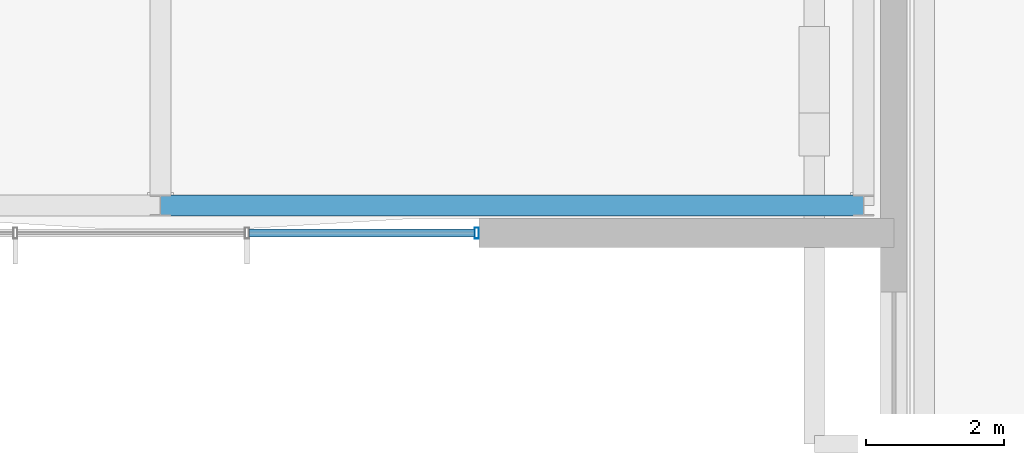
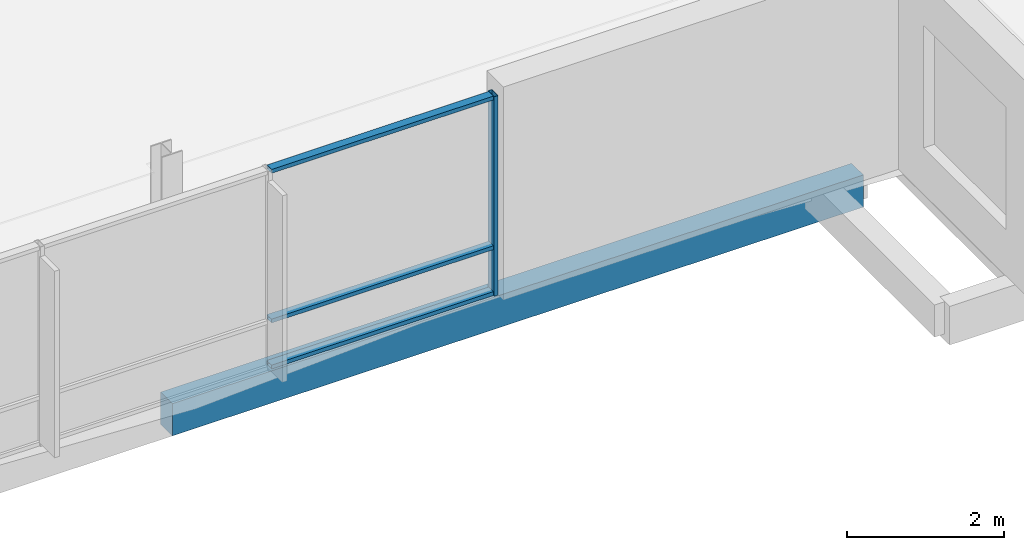
# One storey, part 102 of 189: 4 members, 1 beam, 1 element without a shape of its own.
"""IFC4 building model written with IfcOpenShell, lengths in metres."""

from ifc_helpers import new_model, si_unit, direction, frame, origin, origin_2d, place, context, subcontext, project, spatial, rectangle, hollow_rectangle, extrude, material, material_profile, profile_set, type_object, element, aggregate, save


model = new_model("IFC4")

# Units and contexts
model_context = context("Model", 3, precision=1e-05, world=origin(), true_north=direction((0.0, 1.0)))
body_context = subcontext(model_context, "Body", "Model", "MODEL_VIEW")
ifc_project = project(units=[si_unit("LENGTHUNIT", "METRE"), si_unit("AREAUNIT", "SQUARE_METRE"), si_unit("VOLUMEUNIT", "CUBIC_METRE"), si_unit("PLANEANGLEUNIT", "RADIAN"), si_unit("MASSUNIT", "GRAM", prefix="KILO")], contexts=[model_context])

# Site, building, storey
site_placement = place(None, origin())
site = spatial("IfcSite", under=ifc_project, at=site_placement, CompositionType="ELEMENT")
building_placement = place(site_placement, origin())
building = spatial("IfcBuilding", under=site, at=building_placement, Name="Zavelmont Quarter", CompositionType="ELEMENT")
storey_placement = place(building_placement, frame((0.0, 0.0, 4.39990234375)))
storey = spatial("IfcBuildingStorey", under=building, at=storey_placement, Name="L01", CompositionType="ELEMENT", Elevation=4.39990234375)

# Beam
ifc_material_1 = material(Name="Concrete C35/45", Category="concrete")
ifc_material_profile_1 = material_profile(ifc_material_1, rectangle(XDim=0.300048828125, YDim=0.5, at=origin_2d()), Name="RC300X500")
ifc_profile_set_1 = profile_set([ifc_material_profile_1], Name="Concrete C35/45")
beam_type = type_object("IfcBeamType", Name="BM03", PredefinedType="BEAM", material=ifc_profile_set_1)
beam_placement = place(storey_placement, frame((102.199951171875, 102.0, -0.52978515625), z_axis=(1.0, 0.0, 0.0), x_axis=(0.0, 1.0, 0.0)))
element("IfcBeam", 1, at=beam_placement, inside=storey, type_object=beam_type, Name="L01 beam BM03 16/Q to 17/Q", PredefinedType="BEAM", context=body_context, shape_type="SweptSolid", body=[
    extrude(rectangle(XDim=0.300048828125, YDim=0.5, at=origin_2d()), origin(), (0.0, 0.0, 1.0), 10.16015625),
])

# Curtain wall, members
ifc_material_2 = material(Name="Thermally broken aluminium and double low-E safety glazing", Category="aluminium")
curtain_wall_type = type_object("IfcCurtainWallType", Name="CW-1340X310", PredefinedType="NOTDEFINED", material=ifc_material_2)
curtain_wall_placement = place(storey_placement, origin())
curtain_wall = element("IfcCurtainWall", 2, at=curtain_wall_placement, inside=storey, type_object=curtain_wall_type, Name="L01 unitised curtain wall CW-1340X310", PredefinedType="NOTDEFINED")
ifc_material_3 = material(Name="Powder-coated aluminium EN AW-6063-T6", Category="aluminium")
ifc_material_profile_2 = material_profile(ifc_material_3, hollow_rectangle(XDim=0.06005859375, YDim=0.159912109375, WallThickness=0.00390625, at=origin_2d()), Name="CWM60X160")
ifc_profile_set_2 = profile_set([ifc_material_profile_2], Name="Powder-coated aluminium EN AW-6063-T6")
member_type_1 = type_object("IfcMemberType", Name="CWM01", PredefinedType="MULLION", material=ifc_profile_set_2)
member_1_placement = place(storey_placement, frame((106.77001953125, 101.60009765625, 0.0), z_axis=(0.0, 0.0, 1.0), x_axis=(1.0, 0.0, 0.0)))
member_1 = element("IfcMember", 3, at=member_1_placement, type_object=member_type_1, Name="CW-1340X310 mullion 5", PredefinedType="MULLION", context=body_context, shape_type="SweptSolid", body=[
    extrude(hollow_rectangle(XDim=0.06005859375, YDim=0.159912109375, WallThickness=0.00390625, at=origin_2d()), origin(), (0.0, 0.0, 1.0), 3.10009765625),
])
ifc_material_profile_3 = material_profile(ifc_material_3, hollow_rectangle(XDim=0.1201171875, YDim=0.06005859375, WallThickness=0.00390625, at=origin_2d()), Name="CWT60X120")
ifc_profile_set_3 = profile_set([ifc_material_profile_3], Name="Powder-coated aluminium EN AW-6063-T6")
member_type_2 = type_object("IfcMemberType", Name="CWT01", PredefinedType="NOTDEFINED", material=ifc_profile_set_3)
member_2_placement = place(storey_placement, frame((103.47998046875, 101.60009765625, 0.030029296875), z_axis=(1.0, 0.0, 0.0), x_axis=(0.0, 1.0, 0.0)))
member_2 = element("IfcMember", 4, at=member_2_placement, type_object=member_type_2, Name="CW-1340X310 transom 4.1", ObjectType="TRANSOM", PredefinedType="USERDEFINED", context=body_context, shape_type="SweptSolid", body=[
    extrude(hollow_rectangle(XDim=0.1201171875, YDim=0.06005859375, WallThickness=0.00390625, at=origin_2d()), origin(), (0.0, 0.0, 1.0), 3.260009765625),
])
member_3_placement = place(storey_placement, frame((103.47998046875, 101.60009765625, 0.744140625), z_axis=(1.0, 0.0, 0.0), x_axis=(0.0, 1.0, 0.0)))
member_3 = element("IfcMember", 5, at=member_3_placement, type_object=member_type_2, Name="CW-1340X310 transom 4.2", ObjectType="TRANSOM", PredefinedType="USERDEFINED", context=body_context, shape_type="SweptSolid", body=[
    extrude(hollow_rectangle(XDim=0.1201171875, YDim=0.06005859375, WallThickness=0.00390625, at=origin_2d()), origin(), (0.0, 0.0, 1.0), 3.260009765625),
])
member_4_placement = place(storey_placement, frame((103.47998046875, 101.60009765625, 3.070068359375), z_axis=(1.0, 0.0, 0.0), x_axis=(0.0, 1.0, 0.0)))
member_4 = element("IfcMember", 6, at=member_4_placement, type_object=member_type_2, Name="CW-1340X310 transom 4.3", ObjectType="TRANSOM", PredefinedType="USERDEFINED", context=body_context, shape_type="SweptSolid", body=[
    extrude(hollow_rectangle(XDim=0.1201171875, YDim=0.06005859375, WallThickness=0.00390625, at=origin_2d()), origin(), (0.0, 0.0, 1.0), 3.260009765625),
])
aggregate(curtain_wall, [member_1, member_2, member_3, member_4])

save(model, "model.ifc")
